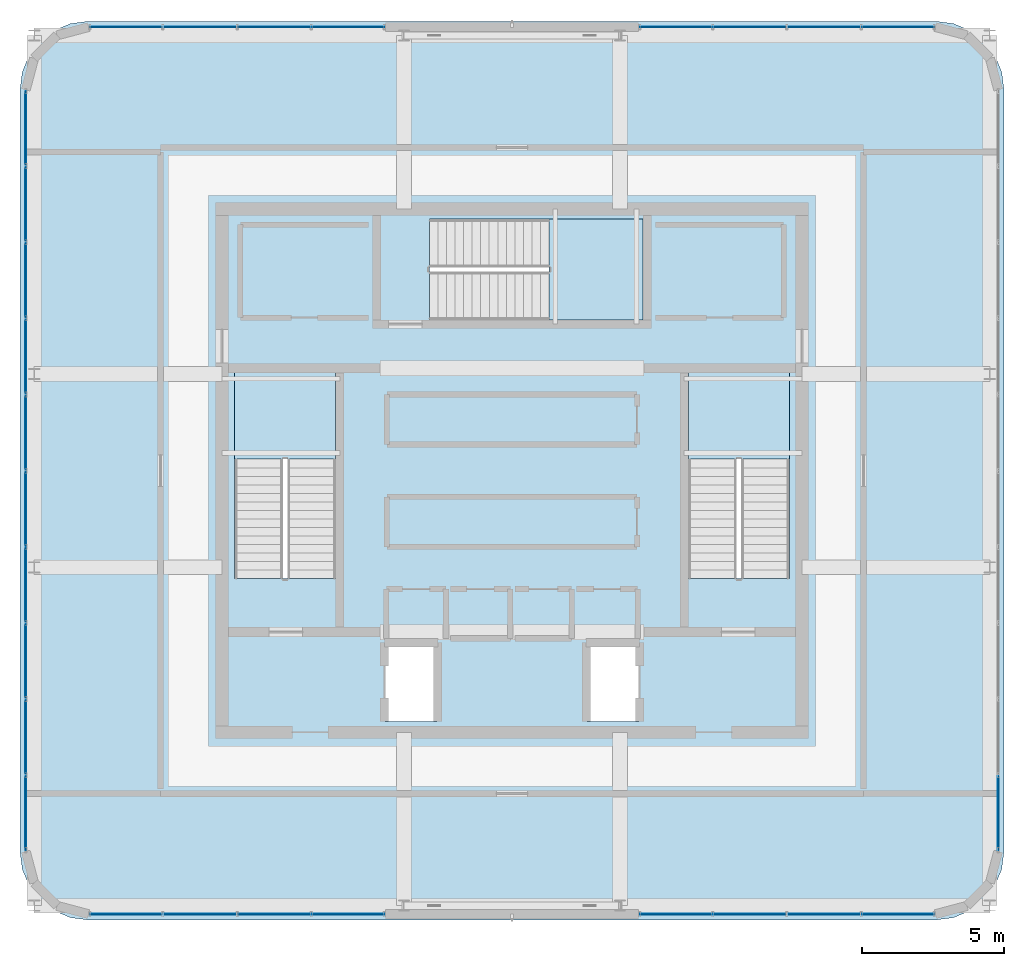
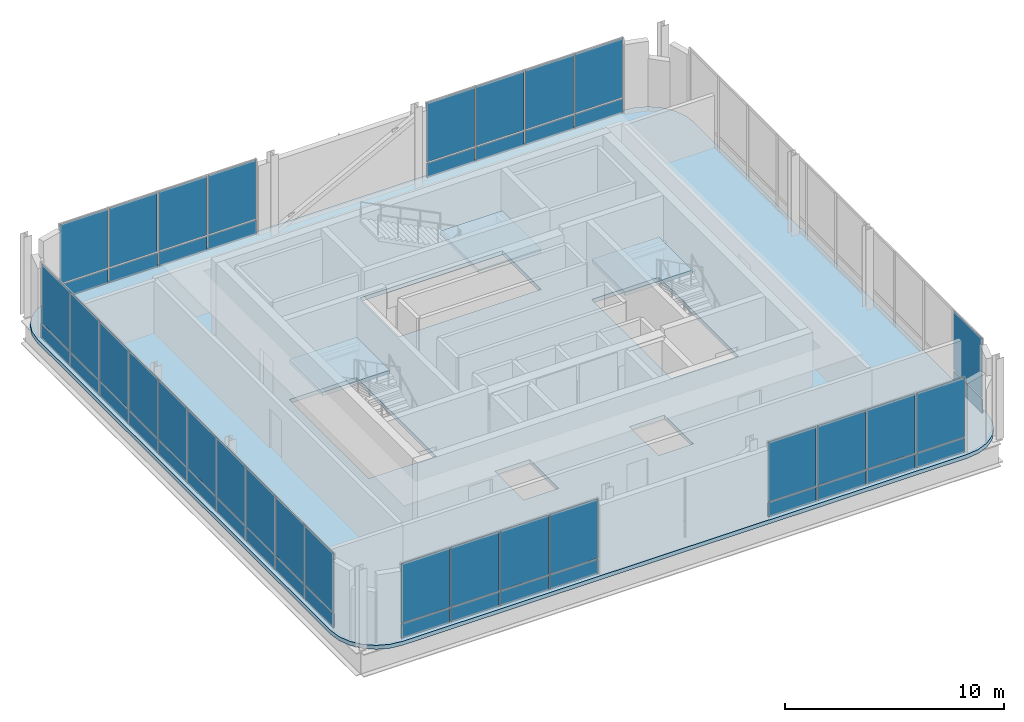
# One storey, part 18 of 25: 54 plates, 4 slabs, 9 elements without a shape of their own.
"""IFC4 building model written with IfcOpenShell, lengths in metres."""

import ifcopenshell
import ifcopenshell.guid

model = None  # the IFC model being written
_history = None  # IfcOwnerHistory: only IFC2X3 demands one
_inside = {}  # id of a spatial element -> (the spatial element, [elements in it])
_under = {}  # id of a project, library or spatial element -> (it, [spatial elements below it])
_declared = {}  # id of a project -> (the project, [libraries it declares])
_typed = {}  # id of a type object -> (the type object, [elements of that type])
_made_of = {}  # id of a material, layer set ... -> (it, [elements and type objects made of it])


def new_model(schema):
    """Start an empty IFC model of exactly this schema.

    Asked for "IFC4X3", IfcOpenShell would pick the latest addendum, in which some entities
    have other attributes; the version numbers below select the first issue.
    IFC2X3 requires an IfcOwnerHistory on every rooted entity: one is made here for all.
    """
    global model, _history
    if schema == "IFC4X3":
        model = ifcopenshell.file(schema_version=(4, 3, 0, 0))
    else:
        model = ifcopenshell.file(schema=schema)
    _inside.clear()
    _under.clear()
    _declared.clear()
    _typed.clear()
    _made_of.clear()
    _history = None
    if model.schema == "IFC2X3":
        org = make("IfcOrganization", Name="unknown")
        user = make(
            "IfcPersonAndOrganization",
            ThePerson=make("IfcPerson", FamilyName="unknown"),
            TheOrganization=org,
        )
        app = make(
            "IfcApplication",
            ApplicationDeveloper=org,
            Version="unknown",
            ApplicationFullName="unknown",
            ApplicationIdentifier="unknown",
        )
        _history = make(
            "IfcOwnerHistory",
            OwningUser=user,
            OwningApplication=app,
            ChangeAction="ADDED",
            CreationDate=0,
        )
    return model


def make(cls, **values):
    """One entity of the class cls with the attributes given. An attribute that is None is left unset."""
    return model.create_entity(
        cls, **{name: value for name, value in values.items() if value is not None}
    )


def rooted(cls, **values):
    """An entity with a GlobalId (a new one), such as an element, a storey or a relation."""
    return make(cls, GlobalId=ifcopenshell.guid.new(), OwnerHistory=_history, **values)


def si_unit(unit_type, name, prefix=None):
    """IfcSIUnit, for example si_unit("LENGTHUNIT", "METRE", prefix="MILLI")."""
    return make("IfcSIUnit", UnitType=unit_type, Prefix=prefix, Name=name)


def assignment(units):
    """IfcUnitAssignment: the units of a project."""
    return None if units is None else make("IfcUnitAssignment", Units=units)


def point(xyz):
    """IfcCartesianPoint."""
    return None if xyz is None else make("IfcCartesianPoint", Coordinates=xyz)


def direction(xyz):
    """IfcDirection."""
    return None if xyz is None else make("IfcDirection", DirectionRatios=xyz)


def frame(location, z_axis=None, x_axis=None):
    """IfcAxis2Placement3D, a coordinate frame: its origin and axes. An axis left out is left unset."""
    return make(
        "IfcAxis2Placement3D",
        Location=point(location),
        Axis=direction(z_axis),
        RefDirection=direction(x_axis),
    )


def frame_2d(location, x_axis=None):
    """IfcAxis2Placement2D, a coordinate frame in the plane: its origin and x axis."""
    return make(
        "IfcAxis2Placement2D", Location=point(location), RefDirection=direction(x_axis)
    )


def origin():
    """The frame at (0, 0, 0) with its axes left unset."""
    return frame((0.0, 0.0, 0.0))


def origin_2d():
    """The frame at (0, 0) in the plane with its x axis left unset."""
    return frame_2d((0.0, 0.0))


def place(relative_to, where):
    """IfcLocalPlacement: puts the frame where relative to a parent placement (None: the world)."""
    return make(
        "IfcLocalPlacement", PlacementRelTo=relative_to, RelativePlacement=where
    )


def context(
    kind, dimensions, precision=None, world=None, true_north=None, identifier=None
):
    """IfcGeometricRepresentationContext, for example the 3D "Model" context."""
    return make(
        "IfcGeometricRepresentationContext",
        ContextIdentifier=identifier,
        ContextType=kind,
        CoordinateSpaceDimension=dimensions,
        Precision=precision,
        WorldCoordinateSystem=world,
        TrueNorth=true_north,
    )


def subcontext(parent, identifier, kind, view, scale=None):
    """IfcGeometricRepresentationSubContext, for example "Body" below "Model"."""
    return make(
        "IfcGeometricRepresentationSubContext",
        ContextIdentifier=identifier,
        ContextType=kind,
        ParentContext=parent,
        TargetScale=scale,
        TargetView=view,
    )


def project(units=None, contexts=None):
    """IfcProject with its units and contexts."""
    return rooted(
        "IfcProject",
        Name="project",
        RepresentationContexts=contexts,
        UnitsInContext=assignment(units),
    )


def spatial(cls, under=None, at=None, **own):
    """A site, building, storey or space (cls), placed at a placement, below another one or the project."""
    s = rooted(cls, ObjectPlacement=at, **own)
    if under is not None:
        _under.setdefault(under.id(), (under, []))[1].append(s)
    return s


def polyline(points):
    """IfcPolyline through the points."""
    return make("IfcPolyline", Points=[point(p) for p in points])


def profile(cls, at=None, kind="AREA", **sizes):
    """A parametric profile (cls). Its sizes go by their IFC names, for example OverallWidth=200.0."""
    return make(cls, ProfileType=kind, Position=at, **sizes)


def rectangle(**sizes):
    """IfcRectangleProfileDef."""
    return profile("IfcRectangleProfileDef", **sizes)


def outline(outer, holes=None, kind="AREA"):
    """IfcArbitraryClosedProfileDef: a profile drawn as a closed curve; with holes, ...WithVoids."""
    if holes is None:
        return make("IfcArbitraryClosedProfileDef", ProfileType=kind, OuterCurve=outer)
    return make(
        "IfcArbitraryProfileDefWithVoids",
        ProfileType=kind,
        OuterCurve=outer,
        InnerCurves=holes,
    )


def extrude(swept, where, along, depth):
    """IfcExtrudedAreaSolid: the profile swept, set in the frame where, extruded along a direction by depth."""
    return make(
        "IfcExtrudedAreaSolid",
        SweptArea=swept,
        Position=where,
        ExtrudedDirection=direction(along),
        Depth=depth,
    )


def shape(context_of_items, identifier, shape_type, items):
    """IfcShapeRepresentation: the items that make up one representation, for example the "Body"."""
    return make(
        "IfcShapeRepresentation",
        ContextOfItems=context_of_items,
        RepresentationIdentifier=identifier,
        RepresentationType=shape_type,
        Items=items,
    )


def material(Name=None, Category=None):
    """IfcMaterial."""
    return make("IfcMaterial", Name=Name, Category=Category)


def layer(
    of_material, thickness, ventilated=None, Name=None, Category=None, Priority=None
):
    """IfcMaterialLayer: one layer of a wall or slab, of a material (None: an air gap)."""
    return make(
        "IfcMaterialLayer",
        Material=of_material,
        LayerThickness=thickness,
        IsVentilated=ventilated,
        Name=Name,
        Category=Category,
        Priority=Priority,
    )


def layer_set(layers, Name=None):
    """IfcMaterialLayerSet."""
    return make("IfcMaterialLayerSet", MaterialLayers=layers, LayerSetName=Name)


def made_of(thing, what):
    """Note that an element or type object is made of a material, layer set ...; save() writes the relation."""
    if what is not None:
        _made_of.setdefault(what.id(), (what, []))[1].append(thing)
    return thing


def type_object(cls, material=None, **own):
    """A type object (cls), such as IfcWallType, which elements share."""
    return made_of(rooted(cls, **own), material)


def element(
    cls,
    number,
    at=None,
    inside=None,
    cuts=None,
    type_object=None,
    material=None,
    context=None,
    identifier="Body",
    shape_type=None,
    held_by="IfcProductDefinitionShape",
    body=None,
    shapes=None,
    **own,
):
    """One element of the class cls, such as IfcWall. Its Tag is "e" and its number.

    at: its placement. inside: the storey or other place that contains it. cuts: it is an
    opening in that element (IfcRelVoidsElement). A single representation is given by context,
    identifier, shape_type and body (its items); several are given by shapes. held_by: the class
    of the entity that holds the representations. save() writes the other relations.
    """
    e = rooted(cls, Tag="e%d" % number, ObjectPlacement=at, **own)
    if body is not None:
        shapes = [shape(context, identifier, shape_type, body)]
    if shapes is not None:
        e.Representation = make(held_by, Representations=shapes)
    if inside is not None:
        _inside.setdefault(inside.id(), (inside, []))[1].append(e)
    if cuts is not None:
        rooted(
            "IfcRelVoidsElement", RelatingBuildingElement=cuts, RelatedOpeningElement=e
        )
    if type_object is not None:
        _typed.setdefault(type_object.id(), (type_object, []))[1].append(e)
    return made_of(e, material)


def aggregate(whole, parts):
    """IfcRelAggregates: a whole, such as a stair, and the parts it consists of."""
    return rooted("IfcRelAggregates", RelatingObject=whole, RelatedObjects=parts)


def save(model, path):
    """Write the relations noted so far, then the file.

    IfcRelAggregates (storeys below a building ...), IfcRelContainedInSpatialStructure (elements
    in a storey), IfcRelDefinesByType, IfcRelAssociatesMaterial and IfcRelDeclares: one each for
    every whole, place, type object, material and project.
    """
    for whole, parts in _under.values():
        aggregate(whole, parts)
    for where, things in _inside.values():
        rooted(
            "IfcRelContainedInSpatialStructure",
            RelatedElements=things,
            RelatingStructure=where,
        )
    for kind, things in _typed.values():
        rooted("IfcRelDefinesByType", RelatedObjects=things, RelatingType=kind)
    for what, things in _made_of.values():
        rooted("IfcRelAssociatesMaterial", RelatedObjects=things, RelatingMaterial=what)
    for by, libraries in _declared.values():
        rooted("IfcRelDeclares", RelatingContext=by, RelatedDefinitions=libraries)
    model.write(path)


model = new_model("IFC4")

# Units and contexts
model_context = context("Model", 3, precision=1e-05, world=origin(), true_north=direction((0.0, 1.0)))
body_context = subcontext(model_context, "Body", "Model", "MODEL_VIEW")
ifc_project = project(units=[si_unit("LENGTHUNIT", "METRE"), si_unit("AREAUNIT", "SQUARE_METRE"), si_unit("VOLUMEUNIT", "CUBIC_METRE"), si_unit("PLANEANGLEUNIT", "RADIAN"), si_unit("MASSUNIT", "GRAM", prefix="KILO")], contexts=[model_context])

# Site, building, storey
site_placement = place(None, origin())
site = spatial("IfcSite", under=ifc_project, at=site_placement, CompositionType="ELEMENT")
building_placement = place(site_placement, origin())
building = spatial("IfcBuilding", under=site, at=building_placement, Name="Punatoya Terracotta Tower", CompositionType="ELEMENT")
storey_placement = place(building_placement, frame((0.0, 0.0, 357.300048828125)))
storey = spatial("IfcBuildingStorey", under=building, at=storey_placement, Name="L84", CompositionType="ELEMENT", Elevation=357.300048828125)

# Curtain wall, plates
ifc_material_1 = material(Name="Aluminium 6063-T6 + Double Low-E Glass", Category="aluminium")
curtain_wall_type = type_object("IfcCurtainWallType", Name="CW-CRN", PredefinedType="NOTDEFINED", material=ifc_material_1)
curtain_wall_1_placement = place(storey_placement, origin())
curtain_wall_1 = element("IfcCurtainWall", 1, at=curtain_wall_1_placement, inside=storey, type_object=curtain_wall_type, Name="L84 Curtain Wall CW-L84-S01-1", PredefinedType="NOTDEFINED")
ifc_material_2 = material(Name="Double Low-E Acoustic Vision Glass", Category="glass")
ifc_layer_1 = layer(ifc_material_2, 0.031982421875)
ifc_layer_set_1 = layer_set([ifc_layer_1], Name="Double Low-E Acoustic Vision Glass")
plate_type_1 = type_object("IfcPlateType", Name="PLT-GLZ-32", PredefinedType="CURTAIN_PANEL", material=ifc_layer_set_1)
plate_1_placement = place(storey_placement, frame((-13.582275390625, -15.60009765625, 0.889892578125), z_axis=(0.0, 0.0, 1.0), x_axis=(1.0, 0.0, 0.0)))
plate_1 = element("IfcPlate", 2, at=plate_1_placement, type_object=plate_type_1, Name="CW-L84-S01-1 Vision Glass Panel 1", PredefinedType="CURTAIN_PANEL", context=body_context, shape_type="SweptSolid", body=[
    extrude(rectangle(XDim=2.524169921875, YDim=0.031982421875, at=origin_2d()), origin(), (0.0, 0.0, 1.0), 3.2900390625),
])
plate_2_placement = place(storey_placement, frame((-10.97314453125, -15.60009765625, 0.889892578125), z_axis=(0.0, 0.0, 1.0), x_axis=(1.0, 0.0, 0.0)))
plate_2 = element("IfcPlate", 3, at=plate_2_placement, type_object=plate_type_1, Name="CW-L84-S01-1 Vision Glass Panel 2", PredefinedType="CURTAIN_PANEL", context=body_context, shape_type="SweptSolid", body=[
    extrude(rectangle(XDim=2.524169921875, YDim=0.031982421875, at=origin_2d()), origin(), (0.0, 0.0, 1.0), 3.2900390625),
])
plate_3_placement = place(storey_placement, frame((-8.36376953125, -15.60009765625, 0.889892578125), z_axis=(0.0, 0.0, 1.0), x_axis=(1.0, 0.0, 0.0)))
plate_3 = element("IfcPlate", 4, at=plate_3_placement, type_object=plate_type_1, Name="CW-L84-S01-1 Vision Glass Panel 3", PredefinedType="CURTAIN_PANEL", context=body_context, shape_type="SweptSolid", body=[
    extrude(rectangle(XDim=2.524169921875, YDim=0.031982421875, at=origin_2d()), origin(), (0.0, 0.0, 1.0), 3.2900390625),
])
plate_4_placement = place(storey_placement, frame((-5.754638671875, -15.60009765625, 0.889892578125), z_axis=(0.0, 0.0, 1.0), x_axis=(1.0, 0.0, 0.0)))
plate_4 = element("IfcPlate", 5, at=plate_4_placement, type_object=plate_type_1, Name="CW-L84-S01-1 Vision Glass Panel 4", PredefinedType="CURTAIN_PANEL", context=body_context, shape_type="SweptSolid", body=[
    extrude(rectangle(XDim=2.524169921875, YDim=0.031982421875, at=origin_2d()), origin(), (0.0, 0.0, 1.0), 3.2900390625),
])

curtain_wall_2_placement = place(storey_placement, origin())
curtain_wall_2 = element("IfcCurtainWall", 6, at=curtain_wall_2_placement, inside=storey, type_object=curtain_wall_type, Name="L84 Curtain Wall CW-L84-S01-2", PredefinedType="NOTDEFINED")
plate_5_placement = place(storey_placement, frame((5.754638671875, -15.60009765625, 0.889892578125), z_axis=(0.0, 0.0, 1.0), x_axis=(1.0, 0.0, 0.0)))
plate_5 = element("IfcPlate", 7, at=plate_5_placement, type_object=plate_type_1, Name="CW-L84-S01-2 Vision Glass Panel 1", PredefinedType="CURTAIN_PANEL", context=body_context, shape_type="SweptSolid", body=[
    extrude(rectangle(XDim=2.524169921875, YDim=0.031982421875, at=origin_2d()), origin(), (0.0, 0.0, 1.0), 3.2900390625),
])
plate_6_placement = place(storey_placement, frame((8.36376953125, -15.60009765625, 0.889892578125), z_axis=(0.0, 0.0, 1.0), x_axis=(1.0, 0.0, 0.0)))
plate_6 = element("IfcPlate", 8, at=plate_6_placement, type_object=plate_type_1, Name="CW-L84-S01-2 Vision Glass Panel 2", PredefinedType="CURTAIN_PANEL", context=body_context, shape_type="SweptSolid", body=[
    extrude(rectangle(XDim=2.524169921875, YDim=0.031982421875, at=origin_2d()), origin(), (0.0, 0.0, 1.0), 3.2900390625),
])
plate_7_placement = place(storey_placement, frame((10.97314453125, -15.60009765625, 0.889892578125), z_axis=(0.0, 0.0, 1.0), x_axis=(1.0, 0.0, 0.0)))
plate_7 = element("IfcPlate", 9, at=plate_7_placement, type_object=plate_type_1, Name="CW-L84-S01-2 Vision Glass Panel 3", PredefinedType="CURTAIN_PANEL", context=body_context, shape_type="SweptSolid", body=[
    extrude(rectangle(XDim=2.524169921875, YDim=0.031982421875, at=origin_2d()), origin(), (0.0, 0.0, 1.0), 3.2900390625),
])
plate_8_placement = place(storey_placement, frame((13.582275390625, -15.60009765625, 0.889892578125), z_axis=(0.0, 0.0, 1.0), x_axis=(1.0, 0.0, 0.0)))
plate_8 = element("IfcPlate", 10, at=plate_8_placement, type_object=plate_type_1, Name="CW-L84-S01-2 Vision Glass Panel 4", PredefinedType="CURTAIN_PANEL", context=body_context, shape_type="SweptSolid", body=[
    extrude(rectangle(XDim=2.524169921875, YDim=0.031982421875, at=origin_2d()), origin(), (0.0, 0.0, 1.0), 3.2900390625),
])

# Curtain wall, plate
curtain_wall_3_placement = place(storey_placement, origin())
curtain_wall_3 = element("IfcCurtainWall", 11, at=curtain_wall_3_placement, inside=storey, type_object=curtain_wall_type, Name="L84 Curtain Wall CW-L84-E05-1", PredefinedType="NOTDEFINED")
plate_9_placement = place(storey_placement, frame((17.10009765625, -12.048095703125, 0.889892578125), z_axis=(0.0, 0.0, 1.0), x_axis=(0.0, 1.0, 0.0)))
plate_9 = element("IfcPlate", 12, at=plate_9_placement, type_object=plate_type_1, Name="CW-L84-E05-1 Vision Glass Panel 1", PredefinedType="CURTAIN_PANEL", context=body_context, shape_type="SweptSolid", body=[
    extrude(rectangle(XDim=2.59228515625, YDim=0.031982421875, at=origin_2d()), origin(), (0.0, 0.0, 1.0), 3.2900390625),
])

# Curtain wall, plates
curtain_wall_4_placement = place(storey_placement, origin())
curtain_wall_4 = element("IfcCurtainWall", 13, at=curtain_wall_4_placement, inside=storey, type_object=curtain_wall_type, Name="L84 Curtain Wall CW-L84-N09-1", PredefinedType="NOTDEFINED")
plate_10_placement = place(storey_placement, frame((13.582275390625, 15.60009765625, 0.889892578125), z_axis=(0.0, 0.0, 1.0), x_axis=(-1.0, 0.0, 0.0)))
plate_10 = element("IfcPlate", 14, at=plate_10_placement, type_object=plate_type_1, Name="CW-L84-N09-1 Vision Glass Panel 1", PredefinedType="CURTAIN_PANEL", context=body_context, shape_type="SweptSolid", body=[
    extrude(rectangle(XDim=2.524169921875, YDim=0.031982421875, at=origin_2d()), origin(), (0.0, 0.0, 1.0), 3.2900390625),
])
plate_11_placement = place(storey_placement, frame((10.97314453125, 15.60009765625, 0.889892578125), z_axis=(0.0, 0.0, 1.0), x_axis=(-1.0, 0.0, 0.0)))
plate_11 = element("IfcPlate", 15, at=plate_11_placement, type_object=plate_type_1, Name="CW-L84-N09-1 Vision Glass Panel 2", PredefinedType="CURTAIN_PANEL", context=body_context, shape_type="SweptSolid", body=[
    extrude(rectangle(XDim=2.524169921875, YDim=0.031982421875, at=origin_2d()), origin(), (0.0, 0.0, 1.0), 3.2900390625),
])
plate_12_placement = place(storey_placement, frame((8.36376953125, 15.60009765625, 0.889892578125), z_axis=(0.0, 0.0, 1.0), x_axis=(-1.0, 0.0, 0.0)))
plate_12 = element("IfcPlate", 16, at=plate_12_placement, type_object=plate_type_1, Name="CW-L84-N09-1 Vision Glass Panel 3", PredefinedType="CURTAIN_PANEL", context=body_context, shape_type="SweptSolid", body=[
    extrude(rectangle(XDim=2.524169921875, YDim=0.031982421875, at=origin_2d()), origin(), (0.0, 0.0, 1.0), 3.2900390625),
])
plate_13_placement = place(storey_placement, frame((5.754638671875, 15.60009765625, 0.889892578125), z_axis=(0.0, 0.0, 1.0), x_axis=(-1.0, 0.0, 0.0)))
plate_13 = element("IfcPlate", 17, at=plate_13_placement, type_object=plate_type_1, Name="CW-L84-N09-1 Vision Glass Panel 4", PredefinedType="CURTAIN_PANEL", context=body_context, shape_type="SweptSolid", body=[
    extrude(rectangle(XDim=2.524169921875, YDim=0.031982421875, at=origin_2d()), origin(), (0.0, 0.0, 1.0), 3.2900390625),
])

curtain_wall_5_placement = place(storey_placement, origin())
curtain_wall_5 = element("IfcCurtainWall", 18, at=curtain_wall_5_placement, inside=storey, type_object=curtain_wall_type, Name="L84 Curtain Wall CW-L84-N09-2", PredefinedType="NOTDEFINED")
plate_14_placement = place(storey_placement, frame((-5.754638671875, 15.60009765625, 0.889892578125), z_axis=(0.0, 0.0, 1.0), x_axis=(-1.0, 0.0, 0.0)))
plate_14 = element("IfcPlate", 19, at=plate_14_placement, type_object=plate_type_1, Name="CW-L84-N09-2 Vision Glass Panel 1", PredefinedType="CURTAIN_PANEL", context=body_context, shape_type="SweptSolid", body=[
    extrude(rectangle(XDim=2.524169921875, YDim=0.031982421875, at=origin_2d()), origin(), (0.0, 0.0, 1.0), 3.2900390625),
])
plate_15_placement = place(storey_placement, frame((-8.36376953125, 15.60009765625, 0.889892578125), z_axis=(0.0, 0.0, 1.0), x_axis=(-1.0, 0.0, 0.0)))
plate_15 = element("IfcPlate", 20, at=plate_15_placement, type_object=plate_type_1, Name="CW-L84-N09-2 Vision Glass Panel 2", PredefinedType="CURTAIN_PANEL", context=body_context, shape_type="SweptSolid", body=[
    extrude(rectangle(XDim=2.524169921875, YDim=0.031982421875, at=origin_2d()), origin(), (0.0, 0.0, 1.0), 3.2900390625),
])
plate_16_placement = place(storey_placement, frame((-10.97314453125, 15.60009765625, 0.889892578125), z_axis=(0.0, 0.0, 1.0), x_axis=(-1.0, 0.0, 0.0)))
plate_16 = element("IfcPlate", 21, at=plate_16_placement, type_object=plate_type_1, Name="CW-L84-N09-2 Vision Glass Panel 3", PredefinedType="CURTAIN_PANEL", context=body_context, shape_type="SweptSolid", body=[
    extrude(rectangle(XDim=2.524169921875, YDim=0.031982421875, at=origin_2d()), origin(), (0.0, 0.0, 1.0), 3.2900390625),
])
plate_17_placement = place(storey_placement, frame((-13.582275390625, 15.60009765625, 0.889892578125), z_axis=(0.0, 0.0, 1.0), x_axis=(-1.0, 0.0, 0.0)))
plate_17 = element("IfcPlate", 22, at=plate_17_placement, type_object=plate_type_1, Name="CW-L84-N09-2 Vision Glass Panel 4", PredefinedType="CURTAIN_PANEL", context=body_context, shape_type="SweptSolid", body=[
    extrude(rectangle(XDim=2.524169921875, YDim=0.031982421875, at=origin_2d()), origin(), (0.0, 0.0, 1.0), 3.2900390625),
])

curtain_wall_6_placement = place(storey_placement, origin())
curtain_wall_6 = element("IfcCurtainWall", 23, at=curtain_wall_6_placement, inside=storey, type_object=curtain_wall_type, Name="L84 Curtain Wall CW-L84-W13-1", PredefinedType="NOTDEFINED")
plate_18_placement = place(storey_placement, frame((-17.10009765625, 12.048095703125, 0.889892578125), z_axis=(0.0, 0.0, 1.0), x_axis=(0.0, -1.0, 0.0)))
plate_18 = element("IfcPlate", 24, at=plate_18_placement, type_object=plate_type_1, Name="CW-L84-W13-1 Vision Glass Panel 1", PredefinedType="CURTAIN_PANEL", context=body_context, shape_type="SweptSolid", body=[
    extrude(rectangle(XDim=2.59228515625, YDim=0.031982421875, at=origin_2d()), origin(), (0.0, 0.0, 1.0), 3.2900390625),
])
plate_19_placement = place(storey_placement, frame((-17.10009765625, 9.370849609375, 0.889892578125), z_axis=(0.0, 0.0, 1.0), x_axis=(0.0, -1.0, 0.0)))
plate_19 = element("IfcPlate", 25, at=plate_19_placement, type_object=plate_type_1, Name="CW-L84-W13-1 Vision Glass Panel 2", PredefinedType="CURTAIN_PANEL", context=body_context, shape_type="SweptSolid", body=[
    extrude(rectangle(XDim=2.59228515625, YDim=0.031982421875, at=origin_2d()), origin(), (0.0, 0.0, 1.0), 3.2900390625),
])
plate_20_placement = place(storey_placement, frame((-17.10009765625, 6.693359375, 0.889892578125), z_axis=(0.0, 0.0, 1.0), x_axis=(0.0, -1.0, 0.0)))
plate_20 = element("IfcPlate", 26, at=plate_20_placement, type_object=plate_type_1, Name="CW-L84-W13-1 Vision Glass Panel 3", PredefinedType="CURTAIN_PANEL", context=body_context, shape_type="SweptSolid", body=[
    extrude(rectangle(XDim=2.59228515625, YDim=0.031982421875, at=origin_2d()), origin(), (0.0, 0.0, 1.0), 3.2900390625),
])
plate_21_placement = place(storey_placement, frame((-17.10009765625, 4.01611328125, 0.889892578125), z_axis=(0.0, 0.0, 1.0), x_axis=(0.0, -1.0, 0.0)))
plate_21 = element("IfcPlate", 27, at=plate_21_placement, type_object=plate_type_1, Name="CW-L84-W13-1 Vision Glass Panel 4", PredefinedType="CURTAIN_PANEL", context=body_context, shape_type="SweptSolid", body=[
    extrude(rectangle(XDim=2.59228515625, YDim=0.031982421875, at=origin_2d()), origin(), (0.0, 0.0, 1.0), 3.2900390625),
])
plate_22_placement = place(storey_placement, frame((-17.10009765625, 1.338623046875, 0.889892578125), z_axis=(0.0, 0.0, 1.0), x_axis=(0.0, -1.0, 0.0)))
plate_22 = element("IfcPlate", 28, at=plate_22_placement, type_object=plate_type_1, Name="CW-L84-W13-1 Vision Glass Panel 5", PredefinedType="CURTAIN_PANEL", context=body_context, shape_type="SweptSolid", body=[
    extrude(rectangle(XDim=2.59228515625, YDim=0.031982421875, at=origin_2d()), origin(), (0.0, 0.0, 1.0), 3.2900390625),
])
plate_23_placement = place(storey_placement, frame((-17.10009765625, -1.338623046875, 0.889892578125), z_axis=(0.0, 0.0, 1.0), x_axis=(0.0, -1.0, 0.0)))
plate_23 = element("IfcPlate", 29, at=plate_23_placement, type_object=plate_type_1, Name="CW-L84-W13-1 Vision Glass Panel 6", PredefinedType="CURTAIN_PANEL", context=body_context, shape_type="SweptSolid", body=[
    extrude(rectangle(XDim=2.59228515625, YDim=0.031982421875, at=origin_2d()), origin(), (0.0, 0.0, 1.0), 3.2900390625),
])
plate_24_placement = place(storey_placement, frame((-17.10009765625, -4.01611328125, 0.889892578125), z_axis=(0.0, 0.0, 1.0), x_axis=(0.0, -1.0, 0.0)))
plate_24 = element("IfcPlate", 30, at=plate_24_placement, type_object=plate_type_1, Name="CW-L84-W13-1 Vision Glass Panel 7", PredefinedType="CURTAIN_PANEL", context=body_context, shape_type="SweptSolid", body=[
    extrude(rectangle(XDim=2.59228515625, YDim=0.031982421875, at=origin_2d()), origin(), (0.0, 0.0, 1.0), 3.2900390625),
])
plate_25_placement = place(storey_placement, frame((-17.10009765625, -6.693359375, 0.889892578125), z_axis=(0.0, 0.0, 1.0), x_axis=(0.0, -1.0, 0.0)))
plate_25 = element("IfcPlate", 31, at=plate_25_placement, type_object=plate_type_1, Name="CW-L84-W13-1 Vision Glass Panel 8", PredefinedType="CURTAIN_PANEL", context=body_context, shape_type="SweptSolid", body=[
    extrude(rectangle(XDim=2.59228515625, YDim=0.031982421875, at=origin_2d()), origin(), (0.0, 0.0, 1.0), 3.2900390625),
])
plate_26_placement = place(storey_placement, frame((-17.10009765625, -9.370849609375, 0.889892578125), z_axis=(0.0, 0.0, 1.0), x_axis=(0.0, -1.0, 0.0)))
plate_26 = element("IfcPlate", 32, at=plate_26_placement, type_object=plate_type_1, Name="CW-L84-W13-1 Vision Glass Panel 9", PredefinedType="CURTAIN_PANEL", context=body_context, shape_type="SweptSolid", body=[
    extrude(rectangle(XDim=2.59228515625, YDim=0.031982421875, at=origin_2d()), origin(), (0.0, 0.0, 1.0), 3.2900390625),
])
plate_27_placement = place(storey_placement, frame((-17.10009765625, -12.048095703125, 0.889892578125), z_axis=(0.0, 0.0, 1.0), x_axis=(0.0, -1.0, 0.0)))
plate_27 = element("IfcPlate", 33, at=plate_27_placement, type_object=plate_type_1, Name="CW-L84-W13-1 Vision Glass Panel 10", PredefinedType="CURTAIN_PANEL", context=body_context, shape_type="SweptSolid", body=[
    extrude(rectangle(XDim=2.59228515625, YDim=0.031982421875, at=origin_2d()), origin(), (0.0, 0.0, 1.0), 3.2900390625),
])

# Plate
ifc_material_3 = material(Name="Crown Insulated Terracotta Spandrel Panel", Category="masonry")
ifc_layer_2 = layer(ifc_material_3, 0.052001953125)
ifc_layer_set_2 = layer_set([ifc_layer_2], Name="Crown Insulated Terracotta Spandrel Panel")
plate_type_2 = type_object("IfcPlateType", Name="PLT-SPN-52", PredefinedType="CURTAIN_PANEL", material=ifc_layer_set_2)
plate_28_placement = place(storey_placement, frame((-13.582275390625, -15.60009765625, 0.0400390625), z_axis=(0.0, 0.0, 1.0), x_axis=(1.0, 0.0, 0.0)))
plate_28 = element("IfcPlate", 34, at=plate_28_placement, type_object=plate_type_2, Name="CW-L84-S01-1 Terracotta Spandrel Panel 1", PredefinedType="CURTAIN_PANEL", context=body_context, shape_type="SweptSolid", body=[
    extrude(rectangle(XDim=2.524169921875, YDim=0.052001953125, at=origin_2d()), origin(), (0.0, 0.0, 1.0), 0.77490234375),
])

plate_29_placement = place(storey_placement, frame((-10.97314453125, -15.60009765625, 0.0400390625), z_axis=(0.0, 0.0, 1.0), x_axis=(1.0, 0.0, 0.0)))
plate_29 = element("IfcPlate", 35, at=plate_29_placement, type_object=plate_type_2, Name="CW-L84-S01-1 Terracotta Spandrel Panel 2", PredefinedType="CURTAIN_PANEL", context=body_context, shape_type="SweptSolid", body=[
    extrude(rectangle(XDim=2.524169921875, YDim=0.052001953125, at=origin_2d()), origin(), (0.0, 0.0, 1.0), 0.77490234375),
])

plate_30_placement = place(storey_placement, frame((-8.36376953125, -15.60009765625, 0.0400390625), z_axis=(0.0, 0.0, 1.0), x_axis=(1.0, 0.0, 0.0)))
plate_30 = element("IfcPlate", 36, at=plate_30_placement, type_object=plate_type_2, Name="CW-L84-S01-1 Terracotta Spandrel Panel 3", PredefinedType="CURTAIN_PANEL", context=body_context, shape_type="SweptSolid", body=[
    extrude(rectangle(XDim=2.524169921875, YDim=0.052001953125, at=origin_2d()), origin(), (0.0, 0.0, 1.0), 0.77490234375),
])

plate_31_placement = place(storey_placement, frame((-5.754638671875, -15.60009765625, 0.0400390625), z_axis=(0.0, 0.0, 1.0), x_axis=(1.0, 0.0, 0.0)))
plate_31 = element("IfcPlate", 37, at=plate_31_placement, type_object=plate_type_2, Name="CW-L84-S01-1 Terracotta Spandrel Panel 4", PredefinedType="CURTAIN_PANEL", context=body_context, shape_type="SweptSolid", body=[
    extrude(rectangle(XDim=2.524169921875, YDim=0.052001953125, at=origin_2d()), origin(), (0.0, 0.0, 1.0), 0.77490234375),
])

aggregate(curtain_wall_1, [plate_28, plate_1, plate_29, plate_2, plate_30, plate_3, plate_31, plate_4])

plate_32_placement = place(storey_placement, frame((5.754638671875, -15.60009765625, 0.0400390625), z_axis=(0.0, 0.0, 1.0), x_axis=(1.0, 0.0, 0.0)))
plate_32 = element("IfcPlate", 38, at=plate_32_placement, type_object=plate_type_2, Name="CW-L84-S01-2 Terracotta Spandrel Panel 1", PredefinedType="CURTAIN_PANEL", context=body_context, shape_type="SweptSolid", body=[
    extrude(rectangle(XDim=2.524169921875, YDim=0.052001953125, at=origin_2d()), origin(), (0.0, 0.0, 1.0), 0.77490234375),
])

plate_33_placement = place(storey_placement, frame((8.36376953125, -15.60009765625, 0.0400390625), z_axis=(0.0, 0.0, 1.0), x_axis=(1.0, 0.0, 0.0)))
plate_33 = element("IfcPlate", 39, at=plate_33_placement, type_object=plate_type_2, Name="CW-L84-S01-2 Terracotta Spandrel Panel 2", PredefinedType="CURTAIN_PANEL", context=body_context, shape_type="SweptSolid", body=[
    extrude(rectangle(XDim=2.524169921875, YDim=0.052001953125, at=origin_2d()), origin(), (0.0, 0.0, 1.0), 0.77490234375),
])

plate_34_placement = place(storey_placement, frame((10.97314453125, -15.60009765625, 0.0400390625), z_axis=(0.0, 0.0, 1.0), x_axis=(1.0, 0.0, 0.0)))
plate_34 = element("IfcPlate", 40, at=plate_34_placement, type_object=plate_type_2, Name="CW-L84-S01-2 Terracotta Spandrel Panel 3", PredefinedType="CURTAIN_PANEL", context=body_context, shape_type="SweptSolid", body=[
    extrude(rectangle(XDim=2.524169921875, YDim=0.052001953125, at=origin_2d()), origin(), (0.0, 0.0, 1.0), 0.77490234375),
])

plate_35_placement = place(storey_placement, frame((13.582275390625, -15.60009765625, 0.0400390625), z_axis=(0.0, 0.0, 1.0), x_axis=(1.0, 0.0, 0.0)))
plate_35 = element("IfcPlate", 41, at=plate_35_placement, type_object=plate_type_2, Name="CW-L84-S01-2 Terracotta Spandrel Panel 4", PredefinedType="CURTAIN_PANEL", context=body_context, shape_type="SweptSolid", body=[
    extrude(rectangle(XDim=2.524169921875, YDim=0.052001953125, at=origin_2d()), origin(), (0.0, 0.0, 1.0), 0.77490234375),
])

aggregate(curtain_wall_2, [plate_32, plate_5, plate_33, plate_6, plate_34, plate_7, plate_35, plate_8])

plate_36_placement = place(storey_placement, frame((17.10009765625, -12.048095703125, 0.0400390625), z_axis=(0.0, 0.0, 1.0), x_axis=(0.0, 1.0, 0.0)))
plate_36 = element("IfcPlate", 42, at=plate_36_placement, type_object=plate_type_2, Name="CW-L84-E05-1 Terracotta Spandrel Panel 1", PredefinedType="CURTAIN_PANEL", context=body_context, shape_type="SweptSolid", body=[
    extrude(rectangle(XDim=2.59228515625, YDim=0.052001953125, at=origin_2d()), origin(), (0.0, 0.0, 1.0), 0.77490234375),
])

aggregate(curtain_wall_3, [plate_36, plate_9])

plate_37_placement = place(storey_placement, frame((13.582275390625, 15.60009765625, 0.0400390625), z_axis=(0.0, 0.0, 1.0), x_axis=(-1.0, 0.0, 0.0)))
plate_37 = element("IfcPlate", 43, at=plate_37_placement, type_object=plate_type_2, Name="CW-L84-N09-1 Terracotta Spandrel Panel 1", PredefinedType="CURTAIN_PANEL", context=body_context, shape_type="SweptSolid", body=[
    extrude(rectangle(XDim=2.524169921875, YDim=0.052001953125, at=origin_2d()), origin(), (0.0, 0.0, 1.0), 0.77490234375),
])

plate_38_placement = place(storey_placement, frame((10.97314453125, 15.60009765625, 0.0400390625), z_axis=(0.0, 0.0, 1.0), x_axis=(-1.0, 0.0, 0.0)))
plate_38 = element("IfcPlate", 44, at=plate_38_placement, type_object=plate_type_2, Name="CW-L84-N09-1 Terracotta Spandrel Panel 2", PredefinedType="CURTAIN_PANEL", context=body_context, shape_type="SweptSolid", body=[
    extrude(rectangle(XDim=2.524169921875, YDim=0.052001953125, at=origin_2d()), origin(), (0.0, 0.0, 1.0), 0.77490234375),
])

plate_39_placement = place(storey_placement, frame((8.36376953125, 15.60009765625, 0.0400390625), z_axis=(0.0, 0.0, 1.0), x_axis=(-1.0, 0.0, 0.0)))
plate_39 = element("IfcPlate", 45, at=plate_39_placement, type_object=plate_type_2, Name="CW-L84-N09-1 Terracotta Spandrel Panel 3", PredefinedType="CURTAIN_PANEL", context=body_context, shape_type="SweptSolid", body=[
    extrude(rectangle(XDim=2.524169921875, YDim=0.052001953125, at=origin_2d()), origin(), (0.0, 0.0, 1.0), 0.77490234375),
])

plate_40_placement = place(storey_placement, frame((5.754638671875, 15.60009765625, 0.0400390625), z_axis=(0.0, 0.0, 1.0), x_axis=(-1.0, 0.0, 0.0)))
plate_40 = element("IfcPlate", 46, at=plate_40_placement, type_object=plate_type_2, Name="CW-L84-N09-1 Terracotta Spandrel Panel 4", PredefinedType="CURTAIN_PANEL", context=body_context, shape_type="SweptSolid", body=[
    extrude(rectangle(XDim=2.524169921875, YDim=0.052001953125, at=origin_2d()), origin(), (0.0, 0.0, 1.0), 0.77490234375),
])

aggregate(curtain_wall_4, [plate_37, plate_10, plate_38, plate_11, plate_39, plate_12, plate_40, plate_13])

plate_41_placement = place(storey_placement, frame((-5.754638671875, 15.60009765625, 0.0400390625), z_axis=(0.0, 0.0, 1.0), x_axis=(-1.0, 0.0, 0.0)))
plate_41 = element("IfcPlate", 47, at=plate_41_placement, type_object=plate_type_2, Name="CW-L84-N09-2 Terracotta Spandrel Panel 1", PredefinedType="CURTAIN_PANEL", context=body_context, shape_type="SweptSolid", body=[
    extrude(rectangle(XDim=2.524169921875, YDim=0.052001953125, at=origin_2d()), origin(), (0.0, 0.0, 1.0), 0.77490234375),
])

plate_42_placement = place(storey_placement, frame((-8.36376953125, 15.60009765625, 0.0400390625), z_axis=(0.0, 0.0, 1.0), x_axis=(-1.0, 0.0, 0.0)))
plate_42 = element("IfcPlate", 48, at=plate_42_placement, type_object=plate_type_2, Name="CW-L84-N09-2 Terracotta Spandrel Panel 2", PredefinedType="CURTAIN_PANEL", context=body_context, shape_type="SweptSolid", body=[
    extrude(rectangle(XDim=2.524169921875, YDim=0.052001953125, at=origin_2d()), origin(), (0.0, 0.0, 1.0), 0.77490234375),
])

plate_43_placement = place(storey_placement, frame((-10.97314453125, 15.60009765625, 0.0400390625), z_axis=(0.0, 0.0, 1.0), x_axis=(-1.0, 0.0, 0.0)))
plate_43 = element("IfcPlate", 49, at=plate_43_placement, type_object=plate_type_2, Name="CW-L84-N09-2 Terracotta Spandrel Panel 3", PredefinedType="CURTAIN_PANEL", context=body_context, shape_type="SweptSolid", body=[
    extrude(rectangle(XDim=2.524169921875, YDim=0.052001953125, at=origin_2d()), origin(), (0.0, 0.0, 1.0), 0.77490234375),
])

plate_44_placement = place(storey_placement, frame((-13.582275390625, 15.60009765625, 0.0400390625), z_axis=(0.0, 0.0, 1.0), x_axis=(-1.0, 0.0, 0.0)))
plate_44 = element("IfcPlate", 50, at=plate_44_placement, type_object=plate_type_2, Name="CW-L84-N09-2 Terracotta Spandrel Panel 4", PredefinedType="CURTAIN_PANEL", context=body_context, shape_type="SweptSolid", body=[
    extrude(rectangle(XDim=2.524169921875, YDim=0.052001953125, at=origin_2d()), origin(), (0.0, 0.0, 1.0), 0.77490234375),
])

aggregate(curtain_wall_5, [plate_41, plate_14, plate_42, plate_15, plate_43, plate_16, plate_44, plate_17])

plate_45_placement = place(storey_placement, frame((-17.10009765625, 12.048095703125, 0.0400390625), z_axis=(0.0, 0.0, 1.0), x_axis=(0.0, -1.0, 0.0)))
plate_45 = element("IfcPlate", 51, at=plate_45_placement, type_object=plate_type_2, Name="CW-L84-W13-1 Terracotta Spandrel Panel 1", PredefinedType="CURTAIN_PANEL", context=body_context, shape_type="SweptSolid", body=[
    extrude(rectangle(XDim=2.59228515625, YDim=0.052001953125, at=origin_2d()), origin(), (0.0, 0.0, 1.0), 0.77490234375),
])

plate_46_placement = place(storey_placement, frame((-17.10009765625, 9.370849609375, 0.0400390625), z_axis=(0.0, 0.0, 1.0), x_axis=(0.0, -1.0, 0.0)))
plate_46 = element("IfcPlate", 52, at=plate_46_placement, type_object=plate_type_2, Name="CW-L84-W13-1 Terracotta Spandrel Panel 2", PredefinedType="CURTAIN_PANEL", context=body_context, shape_type="SweptSolid", body=[
    extrude(rectangle(XDim=2.59228515625, YDim=0.052001953125, at=origin_2d()), origin(), (0.0, 0.0, 1.0), 0.77490234375),
])

plate_47_placement = place(storey_placement, frame((-17.10009765625, 6.693359375, 0.0400390625), z_axis=(0.0, 0.0, 1.0), x_axis=(0.0, -1.0, 0.0)))
plate_47 = element("IfcPlate", 53, at=plate_47_placement, type_object=plate_type_2, Name="CW-L84-W13-1 Terracotta Spandrel Panel 3", PredefinedType="CURTAIN_PANEL", context=body_context, shape_type="SweptSolid", body=[
    extrude(rectangle(XDim=2.59228515625, YDim=0.052001953125, at=origin_2d()), origin(), (0.0, 0.0, 1.0), 0.77490234375),
])

plate_48_placement = place(storey_placement, frame((-17.10009765625, 4.01611328125, 0.0400390625), z_axis=(0.0, 0.0, 1.0), x_axis=(0.0, -1.0, 0.0)))
plate_48 = element("IfcPlate", 54, at=plate_48_placement, type_object=plate_type_2, Name="CW-L84-W13-1 Terracotta Spandrel Panel 4", PredefinedType="CURTAIN_PANEL", context=body_context, shape_type="SweptSolid", body=[
    extrude(rectangle(XDim=2.59228515625, YDim=0.052001953125, at=origin_2d()), origin(), (0.0, 0.0, 1.0), 0.77490234375),
])

plate_49_placement = place(storey_placement, frame((-17.10009765625, 1.338623046875, 0.0400390625), z_axis=(0.0, 0.0, 1.0), x_axis=(0.0, -1.0, 0.0)))
plate_49 = element("IfcPlate", 55, at=plate_49_placement, type_object=plate_type_2, Name="CW-L84-W13-1 Terracotta Spandrel Panel 5", PredefinedType="CURTAIN_PANEL", context=body_context, shape_type="SweptSolid", body=[
    extrude(rectangle(XDim=2.59228515625, YDim=0.052001953125, at=origin_2d()), origin(), (0.0, 0.0, 1.0), 0.77490234375),
])

plate_50_placement = place(storey_placement, frame((-17.10009765625, -1.338623046875, 0.0400390625), z_axis=(0.0, 0.0, 1.0), x_axis=(0.0, -1.0, 0.0)))
plate_50 = element("IfcPlate", 56, at=plate_50_placement, type_object=plate_type_2, Name="CW-L84-W13-1 Terracotta Spandrel Panel 6", PredefinedType="CURTAIN_PANEL", context=body_context, shape_type="SweptSolid", body=[
    extrude(rectangle(XDim=2.59228515625, YDim=0.052001953125, at=origin_2d()), origin(), (0.0, 0.0, 1.0), 0.77490234375),
])

plate_51_placement = place(storey_placement, frame((-17.10009765625, -4.01611328125, 0.0400390625), z_axis=(0.0, 0.0, 1.0), x_axis=(0.0, -1.0, 0.0)))
plate_51 = element("IfcPlate", 57, at=plate_51_placement, type_object=plate_type_2, Name="CW-L84-W13-1 Terracotta Spandrel Panel 7", PredefinedType="CURTAIN_PANEL", context=body_context, shape_type="SweptSolid", body=[
    extrude(rectangle(XDim=2.59228515625, YDim=0.052001953125, at=origin_2d()), origin(), (0.0, 0.0, 1.0), 0.77490234375),
])

plate_52_placement = place(storey_placement, frame((-17.10009765625, -6.693359375, 0.0400390625), z_axis=(0.0, 0.0, 1.0), x_axis=(0.0, -1.0, 0.0)))
plate_52 = element("IfcPlate", 58, at=plate_52_placement, type_object=plate_type_2, Name="CW-L84-W13-1 Terracotta Spandrel Panel 8", PredefinedType="CURTAIN_PANEL", context=body_context, shape_type="SweptSolid", body=[
    extrude(rectangle(XDim=2.59228515625, YDim=0.052001953125, at=origin_2d()), origin(), (0.0, 0.0, 1.0), 0.77490234375),
])

plate_53_placement = place(storey_placement, frame((-17.10009765625, -9.370849609375, 0.0400390625), z_axis=(0.0, 0.0, 1.0), x_axis=(0.0, -1.0, 0.0)))
plate_53 = element("IfcPlate", 59, at=plate_53_placement, type_object=plate_type_2, Name="CW-L84-W13-1 Terracotta Spandrel Panel 9", PredefinedType="CURTAIN_PANEL", context=body_context, shape_type="SweptSolid", body=[
    extrude(rectangle(XDim=2.59228515625, YDim=0.052001953125, at=origin_2d()), origin(), (0.0, 0.0, 1.0), 0.77490234375),
])

plate_54_placement = place(storey_placement, frame((-17.10009765625, -12.048095703125, 0.0400390625), z_axis=(0.0, 0.0, 1.0), x_axis=(0.0, -1.0, 0.0)))
plate_54 = element("IfcPlate", 60, at=plate_54_placement, type_object=plate_type_2, Name="CW-L84-W13-1 Terracotta Spandrel Panel 10", PredefinedType="CURTAIN_PANEL", context=body_context, shape_type="SweptSolid", body=[
    extrude(rectangle(XDim=2.59228515625, YDim=0.052001953125, at=origin_2d()), origin(), (0.0, 0.0, 1.0), 0.77490234375),
])

aggregate(curtain_wall_6, [plate_45, plate_18, plate_46, plate_19, plate_47, plate_20, plate_48, plate_21, plate_49, plate_22, plate_50, plate_23, plate_51, plate_24, plate_52, plate_25, plate_53, plate_26, plate_54, plate_27])

# Stair, slab
ifc_material_4 = material(Name="Concrete C40/50", Category="concrete")
stair_type_1 = type_object("IfcStairType", Name="STR-TER-1450", PredefinedType="HALF_TURN_STAIR", material=ifc_material_4)
stair_1_placement = place(storey_placement, origin())
stair_1 = element("IfcStair", 61, at=stair_1_placement, inside=storey, type_object=stair_type_1, Name="L84 Protected Core Exit Stair ST-3", PredefinedType="HALF_TURN_STAIR")
ifc_layer_3 = layer(ifc_material_4, 0.1650390625)
ifc_layer_set_3 = layer_set([ifc_layer_3], Name="Concrete C40/50")
slab_type_1 = type_object("IfcSlabType", Name="SLB-LND-165", PredefinedType="LANDING", material=ifc_layer_set_3)
slab_1_placement = place(storey_placement, frame((0.0, 0.0, 2.050048828125)))
slab_1 = element("IfcSlab", 62, at=slab_1_placement, type_object=slab_type_1, Name="ST-3 landing 1", PredefinedType="LANDING", context=body_context, shape_type="SweptSolid", body=[
    extrude(outline(polyline([(1.300048828125, 5.300048828125), (4.60009765625, 5.300048828125), (4.60009765625, 8.85009765625), (1.300048828125, 8.85009765625), (1.300048828125, 5.300048828125)])), origin(), (0.0, 0.0, 1.0), 0.199951171875),
])
aggregate(stair_1, [slab_1])

stair_type_2 = type_object("IfcStairType", Name="STR-CORE-1550", PredefinedType="HALF_TURN_STAIR", material=ifc_material_4)
stair_2_placement = place(storey_placement, origin())
stair_2 = element("IfcStair", 63, at=stair_2_placement, inside=storey, type_object=stair_type_2, Name="L84 Protected Core Exit Stair ST-1", PredefinedType="HALF_TURN_STAIR")
ifc_layer_4 = layer(ifc_material_4, 0.179931640625)
ifc_layer_set_4 = layer_set([ifc_layer_4], Name="Concrete C40/50")
slab_type_2 = type_object("IfcSlabType", Name="SLB-LND-180", PredefinedType="LANDING", material=ifc_layer_set_4)
slab_2_placement = place(storey_placement, frame((0.0, 0.0, 2.050048828125)))
slab_2 = element("IfcSlab", 64, at=slab_2_placement, type_object=slab_type_2, Name="ST-1 landing 1", PredefinedType="LANDING", context=body_context, shape_type="SweptSolid", body=[
    extrude(outline(polyline([(-6.199951171875, 0.39990234375), (-6.199951171875, 3.449951171875), (-9.75, 3.449951171875), (-9.75, 0.39990234375), (-6.199951171875, 0.39990234375)])), origin(), (0.0, 0.0, 1.0), 0.199951171875),
])
aggregate(stair_2, [slab_2])

stair_type_3 = type_object("IfcStairType", Name="STR-LOB-1650", PredefinedType="HALF_TURN_STAIR", material=ifc_material_4)
stair_3_placement = place(storey_placement, origin())
stair_3 = element("IfcStair", 65, at=stair_3_placement, inside=storey, type_object=stair_type_3, Name="L84 Protected Core Exit Stair ST-2", PredefinedType="HALF_TURN_STAIR")
slab_3_placement = place(storey_placement, frame((0.0, 0.0, 2.050048828125)))
slab_3 = element("IfcSlab", 66, at=slab_3_placement, type_object=slab_type_2, Name="ST-2 landing 1", PredefinedType="LANDING", context=body_context, shape_type="SweptSolid", body=[
    extrude(outline(polyline([(9.75, 0.39990234375), (9.75, 3.449951171875), (6.199951171875, 3.449951171875), (6.199951171875, 0.39990234375), (9.75, 0.39990234375)])), origin(), (0.0, 0.0, 1.0), 0.199951171875),
])
aggregate(stair_3, [slab_3])

# Slab
ifc_layer_5 = layer(ifc_material_4, 0.219970703125)
ifc_layer_set_5 = layer_set([ifc_layer_5], Name="Concrete C40/50")
slab_type_3 = type_object("IfcSlabType", Name="SLB-OFF-220", PredefinedType="FLOOR", material=ifc_layer_set_5)
slab_4_placement = place(storey_placement, frame((0.0, 0.0, -0.219970703125)))
element("IfcSlab", 67, at=slab_4_placement, inside=storey, type_object=slab_type_3, Name="L84 Structural Floor Slab", PredefinedType="FLOOR", context=body_context, shape_type="SweptSolid", body=[
    extrude(outline(polyline([(-14.89990234375, -15.800048828125), (-15.521240234375, -15.71826171875), (-16.10009765625, -15.478515625), (-16.59716796875, -15.09716796875), (-16.978515625, -14.60009765625), (-17.21826171875, -14.021240234375), (-17.300048828125, -13.39990234375), (-17.300048828125, 13.39990234375), (-17.21826171875, 14.021240234375), (-16.978515625, 14.60009765625), (-16.59716796875, 15.09716796875), (-16.10009765625, 15.478515625), (-15.521240234375, 15.71826171875), (-14.89990234375, 15.800048828125), (14.89990234375, 15.800048828125), (15.521240234375, 15.71826171875), (16.10009765625, 15.478515625), (16.59716796875, 15.09716796875), (16.978515625, 14.60009765625), (17.21826171875, 14.021240234375), (17.300048828125, 13.39990234375), (17.300048828125, -13.39990234375), (17.21826171875, -14.021240234375), (16.978515625, -14.60009765625), (16.59716796875, -15.09716796875), (16.10009765625, -15.478515625), (15.521240234375, -15.71826171875), (14.89990234375, -15.800048828125), (-14.89990234375, -15.800048828125)]), holes=[polyline([(-4.469970703125, -6.179931640625), (-4.469970703125, -8.820068359375), (-2.6298828125, -8.820068359375), (-2.6298828125, -6.179931640625), (-4.469970703125, -6.179931640625)]), polyline([(2.6298828125, -6.179931640625), (2.6298828125, -8.820068359375), (4.469970703125, -8.820068359375), (4.469970703125, -6.179931640625), (2.6298828125, -6.179931640625)]), polyline([(-9.75, -3.79931640625), (-6.199951171875, -3.79931640625), (-6.199951171875, 3.449951171875), (-9.75, 3.449951171875), (-9.75, -3.79931640625)]), polyline([(6.199951171875, 3.449951171875), (6.199951171875, -3.79931640625), (9.75, -3.79931640625), (9.75, 3.449951171875), (6.199951171875, 3.449951171875)]), polyline([(4.60009765625, 8.85009765625), (-2.899169921875, 8.85009765625), (-2.899169921875, 5.300048828125), (4.60009765625, 5.300048828125), (4.60009765625, 8.85009765625)])]), origin(), (0.0, 0.0, 1.0), 0.219970703125),
])

save(model, "model.ifc")
